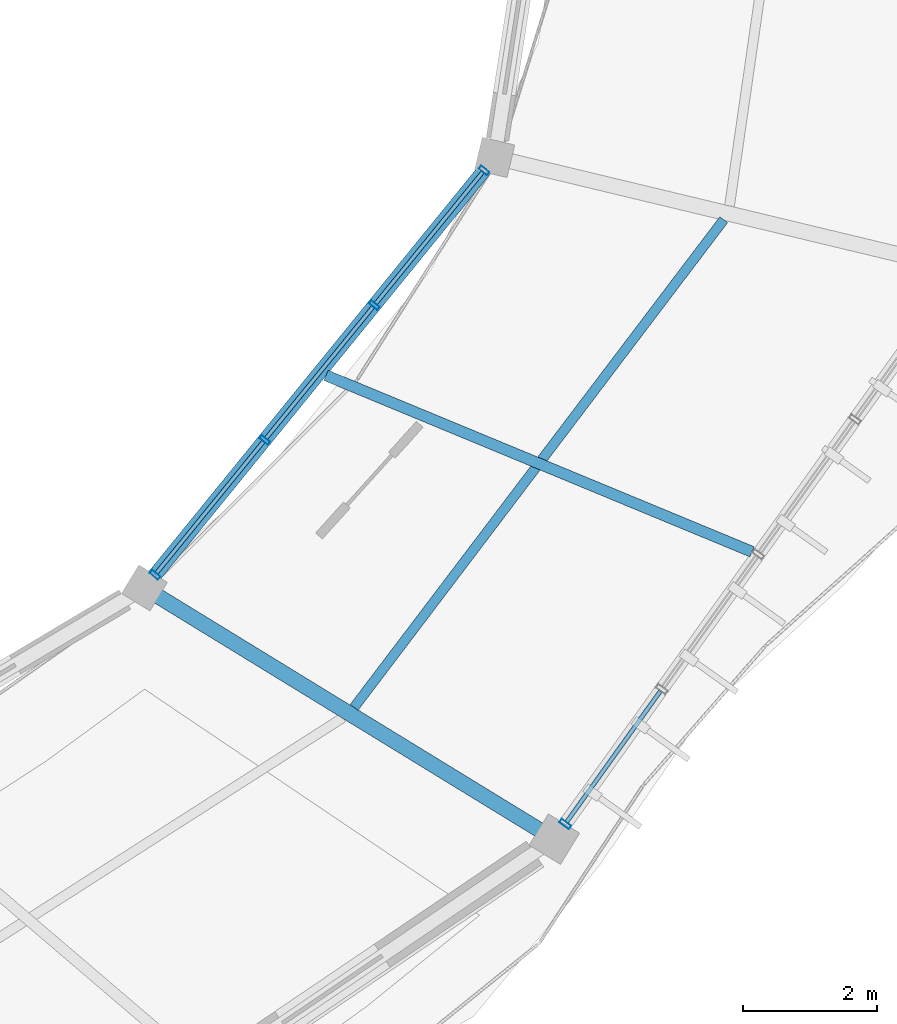
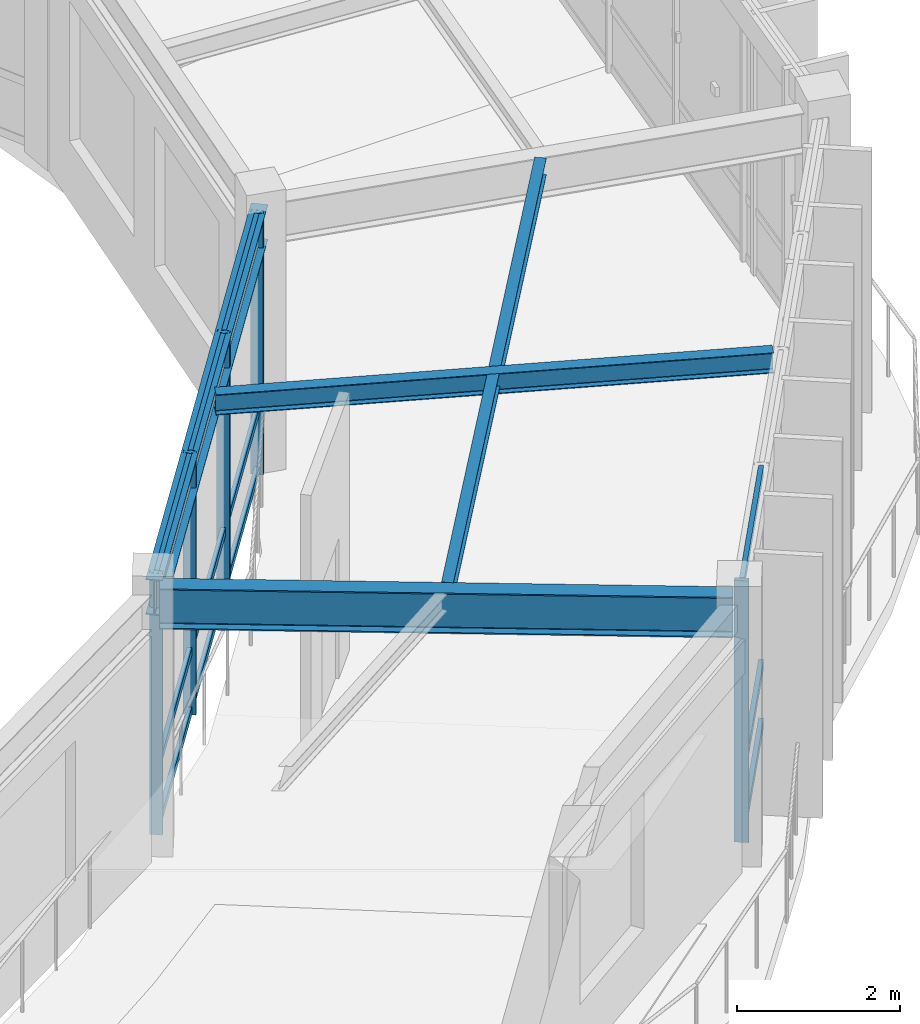
# One storey, part 48 of 79: 17 members, 4 beams, 2 elements without a shape of their own.
"""IFC4 building model written with IfcOpenShell, lengths in metres."""

from ifc_helpers import new_model, si_unit, direction, frame, origin, origin_2d, place, context, subcontext, project, spatial, hollow_rectangle, i_section, extrude, material, material_profile, profile_set, type_object, element, aggregate, save


model = new_model("IFC4")

# Units and contexts
model_context = context("Model", 3, precision=1e-05, world=origin(), true_north=direction((0.0, 1.0)))
body_context = subcontext(model_context, "Body", "Model", "MODEL_VIEW")
ifc_project = project(units=[si_unit("LENGTHUNIT", "METRE"), si_unit("AREAUNIT", "SQUARE_METRE"), si_unit("VOLUMEUNIT", "CUBIC_METRE"), si_unit("PLANEANGLEUNIT", "RADIAN"), si_unit("MASSUNIT", "GRAM", prefix="KILO"), si_unit("THERMODYNAMICTEMPERATUREUNIT", "KELVIN"), si_unit("POWERUNIT", "WATT")], contexts=[model_context])

# Site, building, storey
site_placement = place(None, origin())
site = spatial("IfcSite", under=ifc_project, at=site_placement, CompositionType="ELEMENT")
building_placement = place(site_placement, origin())
building = spatial("IfcBuilding", under=site, at=building_placement, Name="Darbajah Civic Hall", CompositionType="ELEMENT")
storey_placement = place(building_placement, frame((0.0, 0.0, 22.199951171875)))
storey = spatial("IfcBuildingStorey", under=building, at=storey_placement, Name="L05", CompositionType="ELEMENT", Elevation=22.199951171875)

# Curtain wall, members
ifc_material_1 = material(Name="Anodised Bronze Aluminium and Low-E Glazing", Category="aluminium")
curtain_wall_type_1 = type_object("IfcCurtainWallType", Name="Unitised Curtain Wall CW-75 7800x3900", PredefinedType="USERDEFINED", material=ifc_material_1)
curtain_wall_1_placement = place(storey_placement, origin())
curtain_wall_1 = element("IfcCurtainWall", 1, at=curtain_wall_1_placement, inside=storey, type_object=curtain_wall_type_1, Name="L05 unitised curtain wall CW-V1I-L05-18", ObjectType="UNITISED CURTAIN WALL", PredefinedType="USERDEFINED")
ifc_material_2 = material(Name="Anodised Bronze Aluminium", Category="aluminium")
ifc_material_profile_1 = material_profile(ifc_material_2, hollow_rectangle(XDim=0.06005859375, YDim=0.159912109375, WallThickness=0.00341796875, at=origin_2d()), Name="ALU MULLION 60x160")
ifc_profile_set_1 = profile_set([ifc_material_profile_1], Name="Anodised Bronze Aluminium")
member_type_1 = type_object("IfcMemberType", Name="ALU MULLION 60x160", PredefinedType="MULLION", material=ifc_profile_set_1)
member_1_placement = place(storey_placement, frame((126.6044921875, 78.34375, 0.0), z_axis=(0.0, 0.0, 1.0), x_axis=(0.63108205791, 0.775716079622, 0.0)))
member_1 = element("IfcMember", 2, at=member_1_placement, type_object=member_type_1, Name="CW-V1I-L05-18 mullion 1", PredefinedType="MULLION", context=body_context, shape_type="SweptSolid", body=[
    extrude(hollow_rectangle(XDim=0.06005859375, YDim=0.159912109375, WallThickness=0.00341796875, at=origin_2d()), origin(), (0.0, 0.0, 1.0), 3.920166015625),
])
member_2_placement = place(storey_placement, frame((128.24658203125, 80.362060546875, 0.0), z_axis=(0.0, 0.0, 1.0), x_axis=(0.63108205791, 0.775716079622, 0.0)))
member_2 = element("IfcMember", 3, at=member_2_placement, type_object=member_type_1, Name="CW-V1I-L05-18 mullion 2", PredefinedType="MULLION", context=body_context, shape_type="SweptSolid", body=[
    extrude(hollow_rectangle(XDim=0.06005859375, YDim=0.159912109375, WallThickness=0.00341796875, at=origin_2d()), origin(), (0.0, 0.0, 1.0), 3.920166015625),
])
member_3_placement = place(storey_placement, frame((129.888671875, 82.38037109375, 0.0), z_axis=(0.0, 0.0, 1.0), x_axis=(0.63108205791, 0.775716079622, 0.0)))
member_3 = element("IfcMember", 4, at=member_3_placement, type_object=member_type_1, Name="CW-V1I-L05-18 mullion 3", PredefinedType="MULLION", context=body_context, shape_type="SweptSolid", body=[
    extrude(hollow_rectangle(XDim=0.06005859375, YDim=0.159912109375, WallThickness=0.00341796875, at=origin_2d()), origin(), (0.0, 0.0, 1.0), 3.920166015625),
])
member_4_placement = place(storey_placement, frame((131.53076171875, 84.398681640625, 0.0), z_axis=(0.0, 0.0, 1.0), x_axis=(0.63108205791, 0.775716079622, 0.0)))
member_4 = element("IfcMember", 5, at=member_4_placement, type_object=member_type_1, Name="CW-V1I-L05-18 mullion 4", PredefinedType="MULLION", context=body_context, shape_type="SweptSolid", body=[
    extrude(hollow_rectangle(XDim=0.06005859375, YDim=0.159912109375, WallThickness=0.00341796875, at=origin_2d()), origin(), (0.0, 0.0, 1.0), 3.920166015625),
])

# Curtain wall, member
curtain_wall_type_2 = type_object("IfcCurtainWallType", Name="Unitised Curtain Wall CW-74 9900x3900", PredefinedType="USERDEFINED", material=ifc_material_1)
curtain_wall_2_placement = place(storey_placement, origin())
curtain_wall_2 = element("IfcCurtainWall", 6, at=curtain_wall_2_placement, inside=storey, type_object=curtain_wall_type_2, Name="L05 unitised curtain wall CW-V1O-L05-18", ObjectType="UNITISED CURTAIN WALL", PredefinedType="USERDEFINED")
ifc_material_profile_2 = material_profile(ifc_material_2, hollow_rectangle(XDim=0.06494140625, YDim=0.179931640625, WallThickness=0.00390625, at=origin_2d()), Name="ALU MULLION 65x180")
ifc_profile_set_2 = profile_set([ifc_material_profile_2], Name="Anodised Bronze Aluminium")
member_type_2 = type_object("IfcMemberType", Name="ALU MULLION 65x180", PredefinedType="MULLION", material=ifc_profile_set_2)
member_5_placement = place(storey_placement, frame((132.745849609375, 74.611572265625, 0.0), z_axis=(0.0, 0.0, 1.0), x_axis=(0.582264874145, 0.812999149039, 0.0)))
member_5 = element("IfcMember", 7, at=member_5_placement, type_object=member_type_2, Name="CW-V1O-L05-18 mullion 1", PredefinedType="MULLION", context=body_context, shape_type="SweptSolid", body=[
    extrude(hollow_rectangle(XDim=0.06494140625, YDim=0.179931640625, WallThickness=0.00390625, at=origin_2d()), origin(), (0.0, 0.0, 1.0), 3.920166015625),
])

# Member
ifc_material_profile_3 = material_profile(ifc_material_2, hollow_rectangle(XDim=0.06005859375, YDim=0.1201171875, WallThickness=0.003173828125, at=origin_2d()), Name="ALU TRANSOM 60x120")
ifc_profile_set_3 = profile_set([ifc_material_profile_3], Name="Anodised Bronze Aluminium")
member_type_3 = type_object("IfcMemberType", Name="ALU TRANSOM 60x120", PredefinedType="USERDEFINED", material=ifc_profile_set_3)
member_6_placement = place(storey_placement, frame((126.626708984375, 78.370849609375, 0.06005859375), z_axis=(0.631082550461, 0.775715678908, 0.0), x_axis=(-0.775715678908, 0.631082550461, 0.0)))
member_6 = element("IfcMember", 8, at=member_6_placement, type_object=member_type_3, Name="CW-V1I-L05-18 transom 1.1", ObjectType="TRANSOM", PredefinedType="USERDEFINED", context=body_context, shape_type="SweptSolid", body=[
    extrude(hollow_rectangle(XDim=0.06005859375, YDim=0.1201171875, WallThickness=0.003173828125, at=origin_2d()), origin(), (0.0, 0.0, 1.0), 2.531982421875),
])

member_7_placement = place(storey_placement, frame((126.626708984375, 78.370849609375, 0.949951171875), z_axis=(0.631082550461, 0.775715678908, 0.0), x_axis=(-0.775715678908, 0.631082550461, 0.0)))
member_7 = element("IfcMember", 9, at=member_7_placement, type_object=member_type_3, Name="CW-V1I-L05-18 transom 1.2", ObjectType="TRANSOM", PredefinedType="USERDEFINED", context=body_context, shape_type="SweptSolid", body=[
    extrude(hollow_rectangle(XDim=0.06005859375, YDim=0.1201171875, WallThickness=0.003173828125, at=origin_2d()), origin(), (0.0, 0.0, 1.0), 2.531982421875),
])

member_8_placement = place(storey_placement, frame((126.626708984375, 78.370849609375, 3.860107421875), z_axis=(0.631082550461, 0.775715678908, 0.0), x_axis=(-0.775715678908, 0.631082550461, 0.0)))
member_8 = element("IfcMember", 10, at=member_8_placement, type_object=member_type_3, Name="CW-V1I-L05-18 transom 1.3", ObjectType="TRANSOM", PredefinedType="USERDEFINED", context=body_context, shape_type="SweptSolid", body=[
    extrude(hollow_rectangle(XDim=0.06005859375, YDim=0.1201171875, WallThickness=0.003173828125, at=origin_2d()), origin(), (0.0, 0.0, 1.0), 2.531982421875),
])

member_9_placement = place(storey_placement, frame((128.268798828125, 80.38916015625, 0.06005859375), z_axis=(0.631082550461, 0.775715678908, 0.0), x_axis=(-0.775715678908, 0.631082550461, 0.0)))
member_9 = element("IfcMember", 11, at=member_9_placement, type_object=member_type_3, Name="CW-V1I-L05-18 transom 2.1", ObjectType="TRANSOM", PredefinedType="USERDEFINED", context=body_context, shape_type="SweptSolid", body=[
    extrude(hollow_rectangle(XDim=0.06005859375, YDim=0.1201171875, WallThickness=0.003173828125, at=origin_2d()), origin(), (0.0, 0.0, 1.0), 2.531982421875),
])

member_10_placement = place(storey_placement, frame((128.268798828125, 80.38916015625, 0.949951171875), z_axis=(0.631082550461, 0.775715678908, 0.0), x_axis=(-0.775715678908, 0.631082550461, 0.0)))
member_10 = element("IfcMember", 12, at=member_10_placement, type_object=member_type_3, Name="CW-V1I-L05-18 transom 2.2", ObjectType="TRANSOM", PredefinedType="USERDEFINED", context=body_context, shape_type="SweptSolid", body=[
    extrude(hollow_rectangle(XDim=0.06005859375, YDim=0.1201171875, WallThickness=0.003173828125, at=origin_2d()), origin(), (0.0, 0.0, 1.0), 2.531982421875),
])

member_11_placement = place(storey_placement, frame((128.268798828125, 80.38916015625, 3.860107421875), z_axis=(0.631082550461, 0.775715678908, 0.0), x_axis=(-0.775715678908, 0.631082550461, 0.0)))
member_11 = element("IfcMember", 13, at=member_11_placement, type_object=member_type_3, Name="CW-V1I-L05-18 transom 2.3", ObjectType="TRANSOM", PredefinedType="USERDEFINED", context=body_context, shape_type="SweptSolid", body=[
    extrude(hollow_rectangle(XDim=0.06005859375, YDim=0.1201171875, WallThickness=0.003173828125, at=origin_2d()), origin(), (0.0, 0.0, 1.0), 2.531982421875),
])

member_12_placement = place(storey_placement, frame((129.910888671875, 82.407470703125, 0.06005859375), z_axis=(0.631082550461, 0.775715678908, 0.0), x_axis=(-0.775715678908, 0.631082550461, 0.0)))
member_12 = element("IfcMember", 14, at=member_12_placement, type_object=member_type_3, Name="CW-V1I-L05-18 transom 3.1", ObjectType="TRANSOM", PredefinedType="USERDEFINED", context=body_context, shape_type="SweptSolid", body=[
    extrude(hollow_rectangle(XDim=0.06005859375, YDim=0.1201171875, WallThickness=0.003173828125, at=origin_2d()), origin(), (0.0, 0.0, 1.0), 2.531982421875),
])

member_13_placement = place(storey_placement, frame((129.910888671875, 82.407470703125, 0.949951171875), z_axis=(0.631082550461, 0.775715678908, 0.0), x_axis=(-0.775715678908, 0.631082550461, 0.0)))
member_13 = element("IfcMember", 15, at=member_13_placement, type_object=member_type_3, Name="CW-V1I-L05-18 transom 3.2", ObjectType="TRANSOM", PredefinedType="USERDEFINED", context=body_context, shape_type="SweptSolid", body=[
    extrude(hollow_rectangle(XDim=0.06005859375, YDim=0.1201171875, WallThickness=0.003173828125, at=origin_2d()), origin(), (0.0, 0.0, 1.0), 2.531982421875),
])

member_14_placement = place(storey_placement, frame((129.910888671875, 82.407470703125, 3.860107421875), z_axis=(0.631082550461, 0.775715678908, 0.0), x_axis=(-0.775715678908, 0.631082550461, 0.0)))
member_14 = element("IfcMember", 16, at=member_14_placement, type_object=member_type_3, Name="CW-V1I-L05-18 transom 3.3", ObjectType="TRANSOM", PredefinedType="USERDEFINED", context=body_context, shape_type="SweptSolid", body=[
    extrude(hollow_rectangle(XDim=0.06005859375, YDim=0.1201171875, WallThickness=0.003173828125, at=origin_2d()), origin(), (0.0, 0.0, 1.0), 2.531982421875),
])

aggregate(curtain_wall_1, [member_1, member_2, member_3, member_4, member_6, member_7, member_8, member_9, member_10, member_11, member_12, member_13, member_14])

ifc_material_profile_4 = material_profile(ifc_material_2, hollow_rectangle(XDim=0.06494140625, YDim=0.139892578125, WallThickness=0.00341796875, at=origin_2d()), Name="ALU TRANSOM 65x140")
ifc_profile_set_4 = profile_set([ifc_material_profile_4], Name="Anodised Bronze Aluminium")
member_type_4 = type_object("IfcMemberType", Name="ALU TRANSOM 65x140", PredefinedType="USERDEFINED", material=ifc_profile_set_4)
member_15_placement = place(storey_placement, frame((132.767578125, 74.64208984375, 0.070068359375), z_axis=(0.58227334807, 0.81299308, 0.0), x_axis=(-0.81299308, 0.58227334807, 0.0)))
member_15 = element("IfcMember", 17, at=member_15_placement, type_object=member_type_4, Name="CW-V1O-L05-18 transom 1.1", ObjectType="TRANSOM", PredefinedType="USERDEFINED", context=body_context, shape_type="SweptSolid", body=[
    extrude(hollow_rectangle(XDim=0.06494140625, YDim=0.139892578125, WallThickness=0.00341796875, at=origin_2d()), origin(), (0.0, 0.0, 1.0), 2.408447265625),
])

member_16_placement = place(storey_placement, frame((132.767578125, 74.64208984375, 0.949951171875), z_axis=(0.58227334807, 0.81299308, 0.0), x_axis=(-0.81299308, 0.58227334807, 0.0)))
member_16 = element("IfcMember", 18, at=member_16_placement, type_object=member_type_4, Name="CW-V1O-L05-18 transom 1.2", ObjectType="TRANSOM", PredefinedType="USERDEFINED", context=body_context, shape_type="SweptSolid", body=[
    extrude(hollow_rectangle(XDim=0.06494140625, YDim=0.139892578125, WallThickness=0.00341796875, at=origin_2d()), origin(), (0.0, 0.0, 1.0), 2.408447265625),
])

member_17_placement = place(storey_placement, frame((132.767578125, 74.64208984375, 3.85009765625), z_axis=(0.58227334807, 0.81299308, 0.0), x_axis=(-0.81299308, 0.58227334807, 0.0)))
member_17 = element("IfcMember", 19, at=member_17_placement, type_object=member_type_4, Name="CW-V1O-L05-18 transom 1.3", ObjectType="TRANSOM", PredefinedType="USERDEFINED", context=body_context, shape_type="SweptSolid", body=[
    extrude(hollow_rectangle(XDim=0.06494140625, YDim=0.139892578125, WallThickness=0.00341796875, at=origin_2d()), origin(), (0.0, 0.0, 1.0), 2.408447265625),
])

aggregate(curtain_wall_2, [member_5, member_15, member_16, member_17])

# Beams
ifc_material_3 = material(Name="Steel S355JR", Category="steel")
ifc_material_profile_5 = material_profile(ifc_material_3, i_section(OverallWidth=0.146484375, OverallDepth=0.256103515625, WebThickness=0.00634765625, FlangeThickness=0.010986328125, FilletRadius=0.007568359375, at=origin_2d()), Name="UB 254x146x37")
ifc_profile_set_5 = profile_set([ifc_material_profile_5], Name="Steel S355JR")
beam_type_1 = type_object("IfcBeamType", Name="UB 254x146x37", PredefinedType="JOIST", material=ifc_profile_set_5)
beam_1_placement = place(storey_placement, frame((129.585205078125, 76.359619140625, 3.7919921875), z_axis=(0.604101851083, 0.796907117246, 0.0), x_axis=(-0.796907117246, 0.604101851083, 0.0)))
element("IfcBeam", 20, at=beam_1_placement, inside=storey, type_object=beam_type_1, Name="L05 beam SJ-254", PredefinedType="JOIST", context=body_context, shape_type="SweptSolid", body=[
    extrude(i_section(OverallWidth=0.146484375, OverallDepth=0.256103515625, WebThickness=0.00634765625, FlangeThickness=0.010986328125, FilletRadius=0.007568359375, at=origin_2d()), origin(), (0.0, 0.0, 1.0), 9.16259765625),
])
ifc_material_profile_6 = material_profile(ifc_material_3, i_section(OverallWidth=0.165771484375, OverallDepth=0.306640625, WebThickness=0.006591796875, FlangeThickness=0.01171875, FilletRadius=0.0087890625, at=origin_2d()), Name="UB 305x165x46")
ifc_profile_set_6 = profile_set([ifc_material_profile_6], Name="Steel S355JR")
beam_type_2 = type_object("IfcBeamType", Name="UB 305x165x46", PredefinedType="JOIST", material=ifc_profile_set_6)
beam_2_placement = place(storey_placement, frame((129.16552734375, 81.330810546875, 3.766845703125), z_axis=(0.923878471007, -0.382685995053, 0.0), x_axis=(0.382685995053, 0.923878471007, 0.0)))
element("IfcBeam", 21, at=beam_2_placement, inside=storey, type_object=beam_type_2, Name="L05 beam SJ-305", PredefinedType="JOIST", context=body_context, shape_type="SweptSolid", body=[
    extrude(i_section(OverallWidth=0.165771484375, OverallDepth=0.306640625, WebThickness=0.006591796875, FlangeThickness=0.01171875, FilletRadius=0.0087890625, at=origin_2d()), origin(), (0.0, 0.0, 1.0), 6.9033203125),
])
ifc_material_profile_7 = material_profile(ifc_material_3, i_section(OverallWidth=0.209228515625, OverallDepth=0.533203125, WebThickness=0.010009765625, FlangeThickness=0.015625, FilletRadius=0.0126953125, at=origin_2d()), Name="UB 533x210x92")
ifc_profile_set_7 = profile_set([ifc_material_profile_7], Name="Steel S355JR")
beam_type_3 = type_object("IfcBeamType", Name="UB 533x210x92", PredefinedType="BEAM", material=ifc_profile_set_7)
beam_3_placement = place(storey_placement, frame((126.49609375, 78.21044921875, 3.653564453125), z_axis=(0.631114659221, 0.775689555761, 0.0), x_axis=(-0.775689555761, 0.631114659221, 0.0)))
element("IfcBeam", 22, at=beam_3_placement, inside=storey, type_object=beam_type_3, Name="L05 beam SB-533", PredefinedType="BEAM", context=body_context, shape_type="SweptSolid", body=[
    extrude(i_section(OverallWidth=0.209228515625, OverallDepth=0.533203125, WebThickness=0.010009765625, FlangeThickness=0.015625, FilletRadius=0.0126953125, at=origin_2d()), origin(), (0.0, 0.0, 1.0), 8.149658203125),
])
ifc_material_profile_8 = material_profile(ifc_material_3, i_section(OverallWidth=0.228271484375, OverallDepth=0.607666015625, WebThickness=0.010986328125, FlangeThickness=0.017333984375, FilletRadius=0.0126953125, at=origin_2d()), Name="UB 610x229x113")
ifc_profile_set_8 = profile_set([ifc_material_profile_8], Name="Steel S355JR")
beam_type_4 = type_object("IfcBeamType", Name="UB 610x229x113", PredefinedType="BEAM", material=ifc_profile_set_8)
beam_4_placement = place(storey_placement, frame((126.513916015625, 78.1064453125, 3.6162109375), z_axis=(0.852629661041, -0.522515704178, 0.0), x_axis=(0.522515704178, 0.852629661041, 0.0)))
element("IfcBeam", 23, at=beam_4_placement, inside=storey, type_object=beam_type_4, Name="L05 beam SB-610", PredefinedType="BEAM", context=body_context, shape_type="SweptSolid", body=[
    extrude(i_section(OverallWidth=0.228271484375, OverallDepth=0.607666015625, WebThickness=0.010986328125, FlangeThickness=0.017333984375, FilletRadius=0.0126953125, at=origin_2d()), origin(), (0.0, 0.0, 1.0), 7.039794921875),
])

save(model, "model.ifc")
